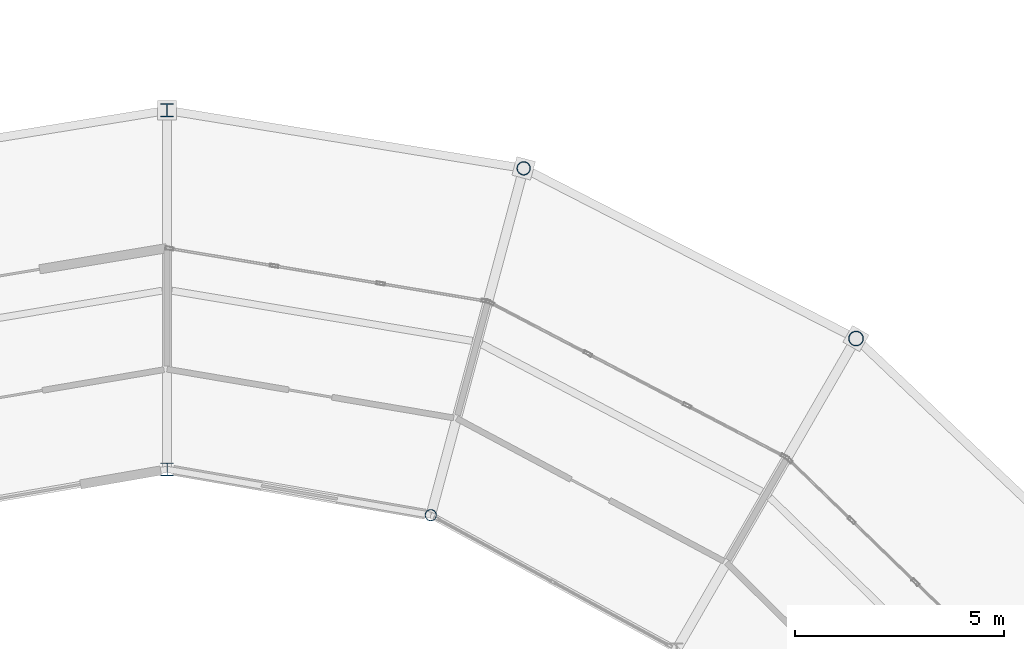
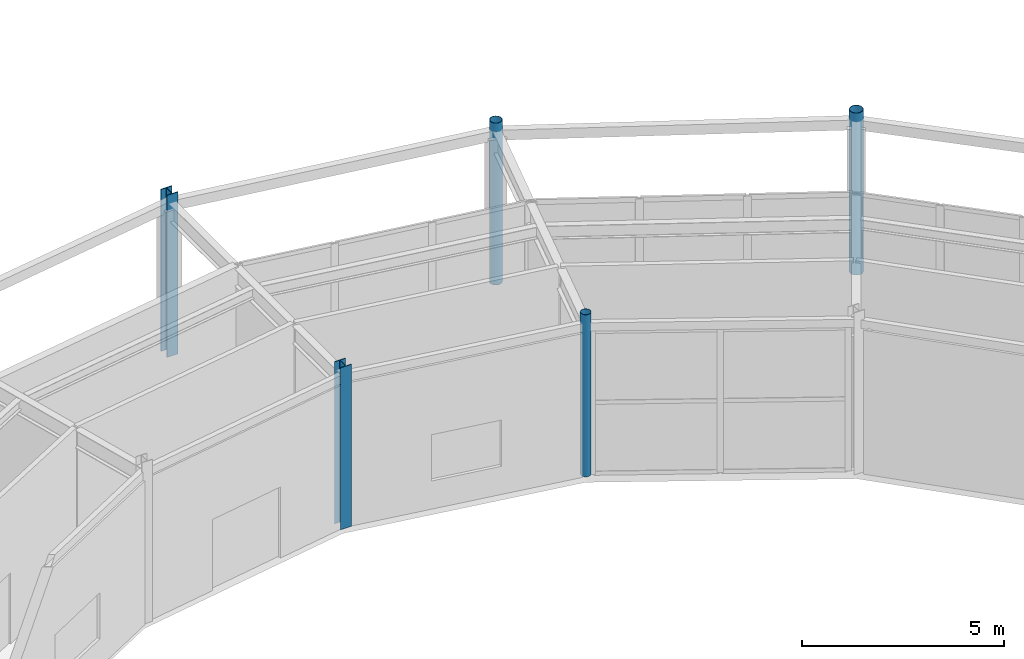
# One storey, part 16 of 144: 5 columns.
"""IFC4 building model written with IfcOpenShell, lengths in metres."""

from ifc_helpers import new_model, si_unit, direction, frame, origin, origin_2d, place, context, subcontext, project, spatial, hollow_circle, i_section, extrude, material, material_profile, profile_set, type_object, element, save


model = new_model("IFC4")

# Units and contexts
model_context = context("Model", 3, precision=1e-05, world=origin(), true_north=direction((0.0, 1.0)))
body_context = subcontext(model_context, "Body", "Model", "MODEL_VIEW")
ifc_project = project(units=[si_unit("LENGTHUNIT", "METRE"), si_unit("AREAUNIT", "SQUARE_METRE"), si_unit("VOLUMEUNIT", "CUBIC_METRE"), si_unit("PLANEANGLEUNIT", "RADIAN"), si_unit("MASSUNIT", "GRAM", prefix="KILO")], contexts=[model_context])

# Site, building, storey
site_placement = place(None, origin())
site = spatial("IfcSite", under=ifc_project, at=site_placement, CompositionType="ELEMENT")
building_placement = place(site_placement, origin())
building = spatial("IfcBuilding", under=site, at=building_placement, Name="Karori Crest Natural Sciences Institute", CompositionType="ELEMENT")
storey_placement = place(building_placement, origin())
storey = spatial("IfcBuildingStorey", under=building, at=storey_placement, Name="L00", CompositionType="ELEMENT", Elevation=0.0)

# Columns
ifc_material_1 = material(Name="Structural steel AS/NZS 3679.1 Grade 350", Category="steel")
ifc_material_profile_1 = material_profile(ifc_material_1, i_section(OverallWidth=0.31103515625, OverallDepth=0.326904296875, WebThickness=0.015625, FlangeThickness=0.02490234375, FilletRadius=0.01708984375, at=origin_2d()), Name="310UC158")
ifc_profile_set_1 = profile_set([ifc_material_profile_1], Name="Structural steel AS/NZS 3679.1 Grade 350")
column_type_1 = type_object("IfcColumnType", Name="CT-04", PredefinedType="COLUMN", material=ifc_profile_set_1)
column_1_placement = place(storey_placement, frame((66.39990234375, 90.699951171875, 0.0), z_axis=(0.0, 0.0, 1.0), x_axis=(1.0, 0.0, 0.0)))
element("IfcColumn", 1, at=column_1_placement, inside=storey, type_object=column_type_1, Name="Column C-0111", PredefinedType="COLUMN", context=body_context, shape_type="SweptSolid", body=[
    extrude(i_section(OverallWidth=0.31103515625, OverallDepth=0.326904296875, WebThickness=0.015625, FlangeThickness=0.02490234375, FilletRadius=0.01708984375, at=origin_2d()), origin(), (0.0, 0.0, 1.0), 4.89990234375),
])
ifc_material_profile_2 = material_profile(ifc_material_1, i_section(OverallWidth=0.306884765625, OverallDepth=0.31494140625, WebThickness=0.011962890625, FlangeThickness=0.018798828125, FilletRadius=0.01708984375, at=origin_2d()), Name="310UC118")
ifc_profile_set_2 = profile_set([ifc_material_profile_2], Name="Structural steel AS/NZS 3679.1 Grade 350")
column_type_2 = type_object("IfcColumnType", Name="CT-05", PredefinedType="COLUMN", material=ifc_profile_set_2)
column_2_placement = place(storey_placement, frame((66.39990234375, 82.10009765625, 0.0), z_axis=(0.0, 0.0, 1.0), x_axis=(1.0, 0.0, 0.0)))
element("IfcColumn", 2, at=column_2_placement, inside=storey, type_object=column_type_2, Name="Column C-0112", PredefinedType="COLUMN", context=body_context, shape_type="SweptSolid", body=[
    extrude(i_section(OverallWidth=0.306884765625, OverallDepth=0.31494140625, WebThickness=0.011962890625, FlangeThickness=0.018798828125, FilletRadius=0.01708984375, at=origin_2d()), origin(), (0.0, 0.0, 1.0), 4.89990234375),
])
ifc_material_2 = material(Name="Hollow structural steel AS/NZS 1163 Grade C350", Category="steel")
ifc_material_profile_3 = material_profile(ifc_material_2, hollow_circle(Radius=0.177734375, WallThickness=0.0126953125, at=origin_2d()), Name="CHS355.6x12.7")
ifc_profile_set_3 = profile_set([ifc_material_profile_3], Name="Hollow structural steel AS/NZS 1163 Grade C350")
column_type_3 = type_object("IfcColumnType", Name="CT-14", PredefinedType="COLUMN", material=ifc_profile_set_3)
column_3_placement = place(storey_placement, frame((82.89990234375, 85.23388671875, 0.0), z_axis=(0.0, 0.0, 1.0), x_axis=(1.0, 0.0, 0.0)))
element("IfcColumn", 3, at=column_3_placement, inside=storey, type_object=column_type_3, Name="Column C-0075", PredefinedType="COLUMN", context=body_context, shape_type="SweptSolid", body=[
    extrude(hollow_circle(Radius=0.177734375, WallThickness=0.0126953125, at=origin_2d()), origin(), (0.0, 0.0, 1.0), 4.89990234375),
])
ifc_material_profile_4 = material_profile(ifc_material_2, hollow_circle(Radius=0.161865234375, WallThickness=0.0126953125, at=origin_2d()), Name="CHS323.9x12.7")
ifc_profile_set_4 = profile_set([ifc_material_profile_4], Name="Hollow structural steel AS/NZS 1163 Grade C350")
column_type_4 = type_object("IfcColumnType", Name="CT-15", PredefinedType="COLUMN", material=ifc_profile_set_4)
column_4_placement = place(storey_placement, frame((74.94091796875, 89.309814453125, 0.0), z_axis=(0.0, 0.0, 1.0), x_axis=(1.0, 0.0, 0.0)))
element("IfcColumn", 4, at=column_4_placement, inside=storey, type_object=column_type_4, Name="Column C-0093", PredefinedType="COLUMN", context=body_context, shape_type="SweptSolid", body=[
    extrude(hollow_circle(Radius=0.161865234375, WallThickness=0.0126953125, at=origin_2d()), origin(), (0.0, 0.0, 1.0), 4.89990234375),
])
ifc_material_profile_5 = material_profile(ifc_material_2, hollow_circle(Radius=0.136474609375, WallThickness=0.00927734375, at=origin_2d()), Name="CHS273.0x9.3")
ifc_profile_set_5 = profile_set([ifc_material_profile_5], Name="Hollow structural steel AS/NZS 1163 Grade C350")
column_type_5 = type_object("IfcColumnType", Name="CT-16", PredefinedType="COLUMN", material=ifc_profile_set_5)
column_5_placement = place(storey_placement, frame((72.715087890625, 81.002685546875, 0.0), z_axis=(0.0, 0.0, 1.0), x_axis=(1.0, 0.0, 0.0)))
element("IfcColumn", 5, at=column_5_placement, inside=storey, type_object=column_type_5, Name="Column C-0094", PredefinedType="COLUMN", context=body_context, shape_type="SweptSolid", body=[
    extrude(hollow_circle(Radius=0.136474609375, WallThickness=0.00927734375, at=origin_2d()), origin(), (0.0, 0.0, 1.0), 4.89990234375),
])

save(model, "model.ifc")
